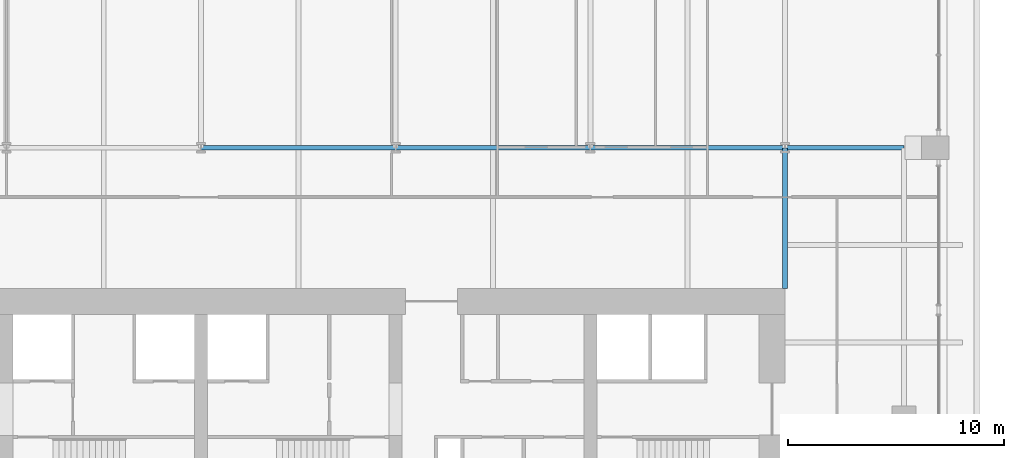
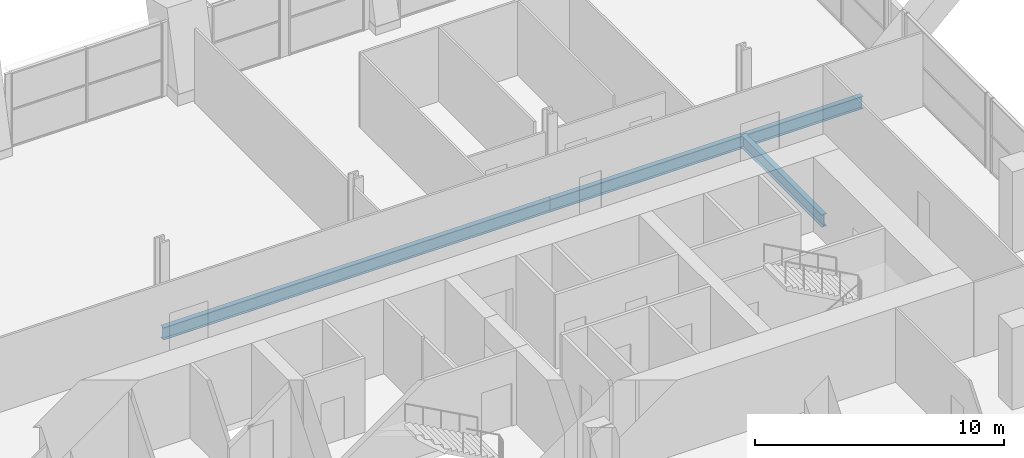
# One storey, part 7 of 26: 3 beams.
"""IFC4 building model written with IfcOpenShell, lengths in metres."""

from ifc_helpers import new_model, si_unit, direction, frame, origin, origin_2d, place, context, subcontext, project, spatial, i_section, extrude, material, material_profile, profile_set, type_object, element, save


model = new_model("IFC4")

# Units and contexts
model_context = context("Model", 3, precision=1e-05, world=origin(), true_north=direction((0.0, 1.0)))
body_context = subcontext(model_context, "Body", "Model", "MODEL_VIEW")
ifc_project = project(units=[si_unit("LENGTHUNIT", "METRE"), si_unit("AREAUNIT", "SQUARE_METRE"), si_unit("VOLUMEUNIT", "CUBIC_METRE"), si_unit("PLANEANGLEUNIT", "RADIAN"), si_unit("MASSUNIT", "GRAM", prefix="KILO")], contexts=[model_context])

# Site, building, storey
site_placement = place(None, origin())
site = spatial("IfcSite", under=ifc_project, at=site_placement, CompositionType="ELEMENT")
building_placement = place(site_placement, origin())
building = spatial("IfcBuilding", under=site, at=building_placement, Name="Zellij Exchange Tower", CompositionType="ELEMENT")
storey_placement = place(building_placement, frame((0.0, 0.0, 100.5)))
storey = spatial("IfcBuildingStorey", under=building, at=storey_placement, Name="L21", CompositionType="ELEMENT", Elevation=100.5)

# Beams
ifc_material = material(Name="Structural steel ASTM A992 Gr 50", Category="steel")
ifc_material_profile = material_profile(ifc_material, i_section(OverallWidth=0.22900390625, OverallDepth=0.612060546875, WebThickness=0.011962890625, FlangeThickness=0.01953125, at=origin_2d()), Name="W24x84")
ifc_profile_set = profile_set([ifc_material_profile], Name="Structural steel ASTM A992 Gr 50")
beam_type = type_object("IfcBeamType", Name="STR-GIRDER W24x84", PredefinedType="BEAM", material=ifc_profile_set)
beam_1_placement = place(storey_placement, frame((0.0, 4.5, -0.606201171875), z_axis=(1.0, 0.0, 0.0), x_axis=(0.0, 1.0, 0.0)))
element("IfcBeam", 1, at=beam_1_placement, inside=storey, type_object=beam_type, Name="G4", PredefinedType="BEAM", context=body_context, shape_type="SweptSolid", body=[
    extrude(i_section(OverallWidth=0.22900390625, OverallDepth=0.612060546875, WebThickness=0.011962890625, FlangeThickness=0.01953125, at=origin_2d()), origin(), (0.0, 0.0, 1.0), 18.0),
])
beam_2_placement = place(storey_placement, frame((18.0, 4.5, -0.606201171875), z_axis=(1.0, 0.0, 0.0), x_axis=(0.0, 1.0, 0.0)))
element("IfcBeam", 2, at=beam_2_placement, inside=storey, type_object=beam_type, Name="G4", PredefinedType="BEAM", context=body_context, shape_type="SweptSolid", body=[
    extrude(i_section(OverallWidth=0.22900390625, OverallDepth=0.612060546875, WebThickness=0.011962890625, FlangeThickness=0.01953125, at=origin_2d()), origin(), (0.0, 0.0, 1.0), 14.5),
])
beam_3_placement = place(storey_placement, frame((27.0, -2.0, -0.606201171875), z_axis=(0.0, 1.0, 0.0), x_axis=(-1.0, 0.0, 0.0)))
element("IfcBeam", 3, at=beam_3_placement, inside=storey, type_object=beam_type, Name="G4", PredefinedType="BEAM", context=body_context, shape_type="SweptSolid", body=[
    extrude(i_section(OverallWidth=0.22900390625, OverallDepth=0.612060546875, WebThickness=0.011962890625, FlangeThickness=0.01953125, at=origin_2d()), origin(), (0.0, 0.0, 1.0), 6.5),
])

save(model, "model.ifc")
